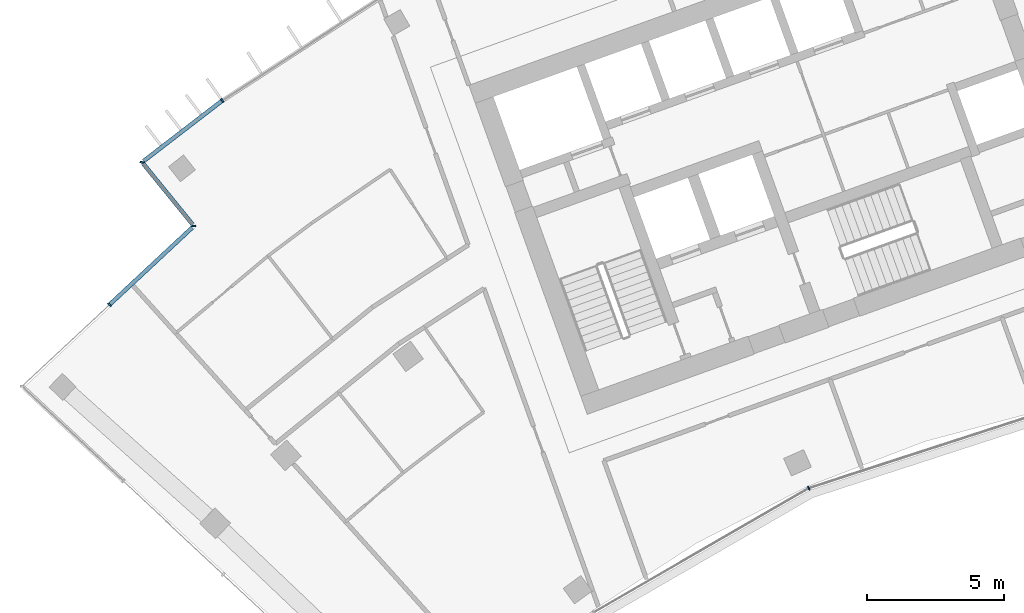
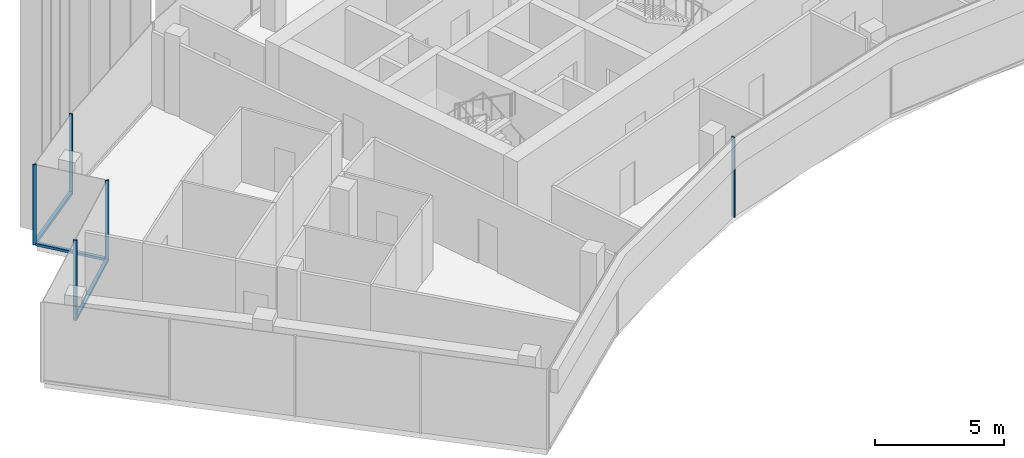
# One storey, part 3 of 19: 8 members, 4 elements without a shape of their own.
"""IFC4 building model written with IfcOpenShell, lengths in metres."""

from ifc_helpers import new_model, si_unit, direction, frame, origin, origin_2d, place, context, subcontext, project, spatial, rectangle, extrude, material, layer, layer_set, material_profile, profile_set, type_object, element, aggregate, save


model = new_model("IFC4")

# Units and contexts
model_context = context("Model", 3, precision=1e-05, world=origin(), true_north=direction((0.0, 1.0)))
body_context = subcontext(model_context, "Body", "Model", "MODEL_VIEW")
ifc_project = project(units=[si_unit("LENGTHUNIT", "METRE"), si_unit("AREAUNIT", "SQUARE_METRE"), si_unit("VOLUMEUNIT", "CUBIC_METRE"), si_unit("PLANEANGLEUNIT", "RADIAN"), si_unit("MASSUNIT", "GRAM", prefix="KILO")], contexts=[model_context])

# Site, building, storey
site_placement = place(None, origin())
site = spatial("IfcSite", under=ifc_project, at=site_placement, CompositionType="ELEMENT")
building_placement = place(site_placement, origin())
building = spatial("IfcBuilding", under=site, at=building_placement, Name="Stone Belt Terrace Tower", CompositionType="ELEMENT")
storey_placement = place(building_placement, frame((0.0, 0.0, 280.800048828125)))
storey = spatial("IfcBuildingStorey", under=building, at=storey_placement, Name="L68", CompositionType="ELEMENT", Elevation=280.800048828125)

# Curtain wall, members
ifc_material = material(Name="Aluminium 6063-T6 anodised frame", Category="aluminium")
ifc_layer_1 = layer(ifc_material, 0.14990234375)
ifc_layer_set_1 = layer_set([ifc_layer_1], Name="CW-A unitised convex-face curtain wall")
curtain_wall_type_1 = type_object("IfcCurtainWallType", Name="CW-A unitised convex-face curtain wall", PredefinedType="NOTDEFINED", material=ifc_layer_set_1)
curtain_wall_1_placement = place(storey_placement, origin())
curtain_wall_1 = element("IfcCurtainWall", 1, at=curtain_wall_1_placement, inside=storey, type_object=curtain_wall_type_1, Name="CW-A convex face L68", PredefinedType="NOTDEFINED")
ifc_material_profile_1 = material_profile(ifc_material, rectangle(XDim=0.14990234375, YDim=0.06005859375, at=origin_2d()), Name="Aluminium 6063-T6 60x150")
ifc_profile_set_1 = profile_set([ifc_material_profile_1], Name="Aluminium 6063-T6 anodised frame")
member_type_1 = type_object("IfcMemberType", Name="CW-A mullion 60 x 150", PredefinedType="MULLION", material=ifc_profile_set_1)
member_1_placement = place(storey_placement, frame((-39.131103515625, 53.86083984375, 0.0), z_axis=(0.0, 0.0, 1.0), x_axis=(0.577587125789, -0.816329046477, 0.0)))
member_1 = element("IfcMember", 2, at=member_1_placement, type_object=member_type_1, Name="CW-A mullion 14", PredefinedType="MULLION", context=body_context, shape_type="SweptSolid", body=[
    extrude(rectangle(XDim=0.14990234375, YDim=0.06005859375, at=origin_2d()), origin(), (0.0, 0.0, 1.0), 3.800048828125),
])
ifc_material_profile_2 = material_profile(ifc_material, rectangle(XDim=0.14990234375, YDim=0.139892578125, at=origin_2d()), Name="Aluminium 6063-T6 150x140")
ifc_profile_set_2 = profile_set([ifc_material_profile_2], Name="Aluminium 6063-T6 anodised frame")
member_type_2 = type_object("IfcMemberType", Name="CW-A transom 140 x 150", PredefinedType="USERDEFINED", material=ifc_profile_set_2)
member_2_placement = place(storey_placement, frame((-39.1572265625, 53.8408203125, 0.070068359375), z_axis=(-0.79269461464, -0.609618936648, 0.0), x_axis=(0.609618936648, -0.79269461464, 0.0)))
member_2 = element("IfcMember", 3, at=member_2_placement, type_object=member_type_2, Name="CW-A transom 14.1", ObjectType="TRANSOM", PredefinedType="USERDEFINED", context=body_context, shape_type="SweptSolid", body=[
    extrude(rectangle(XDim=0.14990234375, YDim=0.139892578125, at=origin_2d()), origin(), (0.0, 0.0, 1.0), 3.597900390625),
])
aggregate(curtain_wall_1, [member_1, member_2])

# Curtain wall, member
ifc_layer_2 = layer(ifc_material, 0.14990234375)
ifc_layer_set_2 = layer_set([ifc_layer_2], Name="CW-B unitised concave-face curtain wall")
curtain_wall_type_2 = type_object("IfcCurtainWallType", Name="CW-B unitised concave-face curtain wall", PredefinedType="NOTDEFINED", material=ifc_layer_set_2)
curtain_wall_2_placement = place(storey_placement, origin())
curtain_wall_2 = element("IfcCurtainWall", 4, at=curtain_wall_2_placement, inside=storey, type_object=curtain_wall_type_2, Name="CW-B concave face L68", PredefinedType="NOTDEFINED")
ifc_material_profile_3 = material_profile(ifc_material, rectangle(XDim=0.14990234375, YDim=0.050048828125, at=origin_2d()), Name="Aluminium 6063-T6 50x150")
ifc_profile_set_3 = profile_set([ifc_material_profile_3], Name="Aluminium 6063-T6 anodised frame")
member_type_3 = type_object("IfcMemberType", Name="CW-B mullion 50 x 150", PredefinedType="MULLION", material=ifc_profile_set_3)
member_3_placement = place(storey_placement, frame((-17.662353515625, 39.67041015625, 0.0), z_axis=(0.0, 0.0, 1.0), x_axis=(-0.406736643076, 0.913545457643, 0.0)))
member_3 = element("IfcMember", 5, at=member_3_placement, type_object=member_type_3, Name="CW-B mullion 3", PredefinedType="MULLION", context=body_context, shape_type="SweptSolid", body=[
    extrude(rectangle(XDim=0.14990234375, YDim=0.050048828125, at=origin_2d()), origin(), (0.0, 0.0, 1.0), 3.800048828125),
])
aggregate(curtain_wall_2, [member_3])

ifc_layer_3 = layer(ifc_material, 0.14990234375)
ifc_layer_set_3 = layer_set([ifc_layer_3], Name="CW-C stick curtain wall, horn ends and notches")
curtain_wall_type_3 = type_object("IfcCurtainWallType", Name="CW-C stick curtain wall, horn ends and notches", PredefinedType="NOTDEFINED", material=ifc_layer_set_3)
curtain_wall_3_placement = place(storey_placement, origin())
curtain_wall_3 = element("IfcCurtainWall", 6, at=curtain_wall_3_placement, inside=storey, type_object=curtain_wall_type_3, Name="CW-C notch face L68", PredefinedType="NOTDEFINED")
ifc_material_profile_4 = material_profile(ifc_material, rectangle(XDim=0.14990234375, YDim=0.06005859375, at=origin_2d()), Name="Aluminium 6063-T6 60x150")
ifc_profile_set_4 = profile_set([ifc_material_profile_4], Name="Aluminium 6063-T6 anodised frame")
member_type_4 = type_object("IfcMemberType", Name="CW-C mullion 60 x 150", PredefinedType="MULLION", material=ifc_profile_set_4)
member_4_placement = place(storey_placement, frame((-42.068359375, 51.60205078125, 0.0), z_axis=(0.0, 0.0, 1.0), x_axis=(0.993258004644, -0.115924700604, 0.0)))
member_4 = element("IfcMember", 7, at=member_4_placement, type_object=member_type_4, Name="CW-C mullion 1", PredefinedType="MULLION", context=body_context, shape_type="SweptSolid", body=[
    extrude(rectangle(XDim=0.14990234375, YDim=0.06005859375, at=origin_2d()), origin(), (0.0, 0.0, 1.0), 3.800048828125),
])

# Curtain wall, members
curtain_wall_4_placement = place(storey_placement, origin())
curtain_wall_4 = element("IfcCurtainWall", 8, at=curtain_wall_4_placement, inside=storey, type_object=curtain_wall_type_3, Name="CW-C notch face L68", PredefinedType="NOTDEFINED")
member_5_placement = place(storey_placement, frame((-40.1708984375, 49.269287109375, 0.0), z_axis=(0.0, 0.0, 1.0), x_axis=(0.997639702696, -0.068666029474, 0.0)))
member_5 = element("IfcMember", 9, at=member_5_placement, type_object=member_type_4, Name="CW-C mullion 1", PredefinedType="MULLION", context=body_context, shape_type="SweptSolid", body=[
    extrude(rectangle(XDim=0.14990234375, YDim=0.06005859375, at=origin_2d()), origin(), (0.0, 0.0, 1.0), 3.800048828125),
])
member_6_placement = place(storey_placement, frame((-43.260009765625, 46.388671875, 0.0), z_axis=(0.0, 0.0, 1.0), x_axis=(0.682013767261, -0.731339333871, 0.0)))
member_6 = element("IfcMember", 10, at=member_6_placement, type_object=member_type_4, Name="CW-C mullion 2", PredefinedType="MULLION", context=body_context, shape_type="SweptSolid", body=[
    extrude(rectangle(XDim=0.14990234375, YDim=0.06005859375, at=origin_2d()), origin(), (0.0, 0.0, 1.0), 3.800048828125),
])

# Member
ifc_material_profile_5 = material_profile(ifc_material, rectangle(XDim=0.14990234375, YDim=0.1201171875, at=origin_2d()), Name="Aluminium 6063-T6 150x120")
ifc_profile_set_5 = profile_set([ifc_material_profile_5], Name="Aluminium 6063-T6 anodised frame")
member_type_5 = type_object("IfcMemberType", Name="CW-C transom 120 x 150", PredefinedType="USERDEFINED", material=ifc_profile_set_5)
member_7_placement = place(storey_placement, frame((-42.021240234375, 51.5439453125, 0.06005859375), z_axis=(0.631026504781, -0.775761271439, 0.0), x_axis=(0.775761271439, 0.631026504781, 0.0)))
member_7 = element("IfcMember", 11, at=member_7_placement, type_object=member_type_5, Name="CW-C transom 1.1", ObjectType="TRANSOM", PredefinedType="USERDEFINED", context=body_context, shape_type="SweptSolid", body=[
    extrude(rectangle(XDim=0.14990234375, YDim=0.1201171875, at=origin_2d()), origin(), (0.0, 0.0, 1.0), 2.859130859375),
])

aggregate(curtain_wall_3, [member_4, member_7])

member_8_placement = place(storey_placement, frame((-40.224365234375, 49.21923828125, 0.06005859375), z_axis=(-0.731382255625, -0.681967738355, 0.0), x_axis=(0.681967738355, -0.731382255625, 0.0)))
member_8 = element("IfcMember", 12, at=member_8_placement, type_object=member_type_5, Name="CW-C transom 1.1", ObjectType="TRANSOM", PredefinedType="USERDEFINED", context=body_context, shape_type="SweptSolid", body=[
    extrude(rectangle(XDim=0.14990234375, YDim=0.1201171875, at=origin_2d()), origin(), (0.0, 0.0, 1.0), 4.12060546875),
])

aggregate(curtain_wall_4, [member_5, member_6, member_8])

save(model, "model.ifc")
